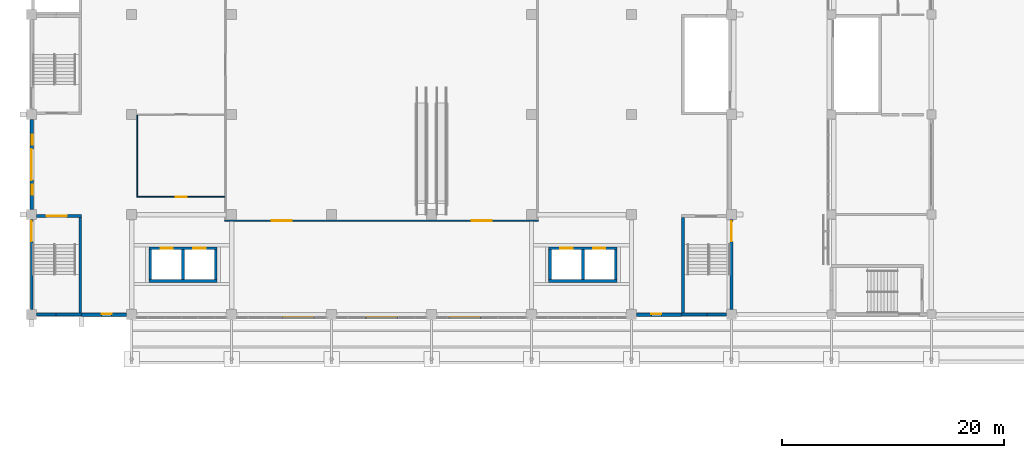
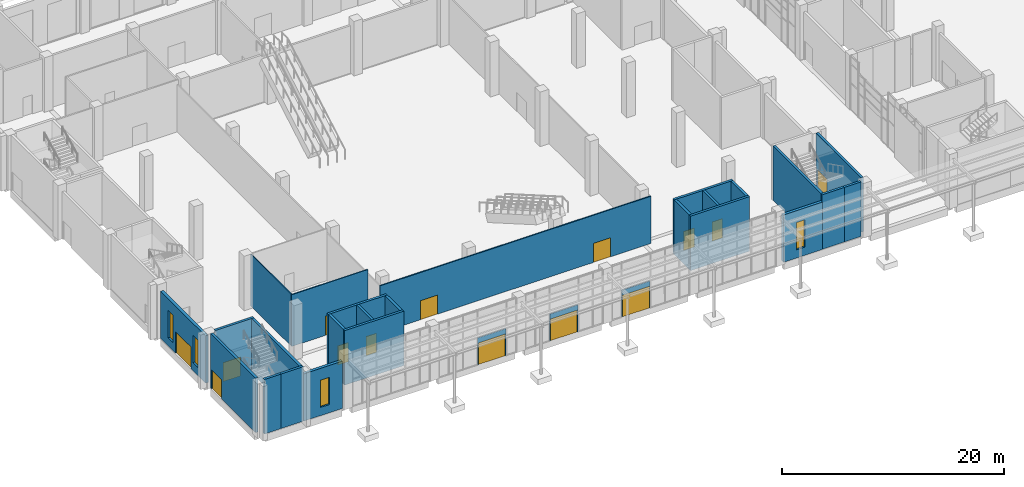
# One storey, part 50 of 86: 28 walls, 14 doors, 4 windows, 18 openings.
"""IFC4 building model written with IfcOpenShell, lengths in metres."""

from ifc_helpers import new_model, si_unit, direction, frame, frame_2d, origin, place, context, subcontext, project, spatial, rectangle, extrude, material, layer, layer_set, type_object, element, fill, save


model = new_model("IFC4")

# Units and contexts
model_context = context("Model", 3, precision=1e-05, world=origin(), true_north=direction((0.0, 1.0)))
body_context = subcontext(model_context, "Body", "Model", "MODEL_VIEW")
ifc_project = project(units=[si_unit("LENGTHUNIT", "METRE"), si_unit("AREAUNIT", "SQUARE_METRE"), si_unit("VOLUMEUNIT", "CUBIC_METRE"), si_unit("PLANEANGLEUNIT", "RADIAN"), si_unit("MASSUNIT", "GRAM", prefix="KILO")], contexts=[model_context])

# Site, building, storey
site_placement = place(None, origin())
site = spatial("IfcSite", under=ifc_project, at=site_placement, CompositionType="ELEMENT")
building_placement = place(site_placement, origin())
building = spatial("IfcBuilding", under=site, at=building_placement, Name="Guidao Yard Department Store", CompositionType="ELEMENT")
storey_placement = place(building_placement, origin())
storey = spatial("IfcBuildingStorey", under=building, at=storey_placement, Name="L00", CompositionType="ELEMENT", Elevation=0.0)

# Wall, openings, doors
ifc_material_1 = material(Name="Fire-rated glazing in Steel Q235 frame", Category="steel")
ifc_layer_1 = layer(ifc_material_1, 0.1201171875)
ifc_layer_set_1 = layer_set([ifc_layer_1], Name="Fire-Glazed Screen P5 120 mm EI 60")
wall_type_1 = type_object("IfcWallType", Name="Fire-Glazed Screen P5 120 mm EI 60", PredefinedType="PARTITIONING", material=ifc_layer_set_1)
wall_1_placement = place(storey_placement, frame((17.389892578125, 53.449951171875, 0.0), z_axis=(0.0, 0.0, 1.0), x_axis=(1.0, 0.0, 0.0)))
wall_1 = element("IfcWall", 1, at=wall_1_placement, inside=storey, type_object=wall_type_1, Name="Wall W-HL00-001", PredefinedType="PARTITIONING", context=body_context, shape_type="SweptSolid", body=[
    extrude(rectangle(XDim=28.22021484375, YDim=0.1201171875, at=frame_2d((14.110107421875, 0.0))), origin(), (0.0, 0.0, 1.0), 5.199951171875),
])
opening_1_placement = place(wall_1_placement, frame((4.2099609375, 0.0, 0.0)))
opening_1 = element("IfcOpeningElement", 2, at=opening_1_placement, cuts=wall_1, Name="Opening HL00-001", PredefinedType="OPENING", context=body_context, shape_type="SweptSolid", body=[
    extrude(rectangle(XDim=1.800048828125, YDim=2.10009765625, at=frame_2d((0.89990234375, 1.050048828125))), frame((0.0, 0.070068359375, 0.0), z_axis=(0.0, -1.0, 0.0), x_axis=(1.0, 0.0, 0.0)), (0.0, 0.0, 1.0), 0.14013671875),
])
opening_2_placement = place(wall_1_placement, frame((22.2099609375, 0.0, 0.0)))
opening_2 = element("IfcOpeningElement", 3, at=opening_2_placement, cuts=wall_1, Name="Opening HL00-002", PredefinedType="OPENING", context=body_context, shape_type="SweptSolid", body=[
    extrude(rectangle(XDim=1.800048828125, YDim=2.10009765625, at=frame_2d((0.89990234375, 1.050048828125))), frame((0.0, 0.070068359375, 0.0), z_axis=(0.0, -1.0, 0.0), x_axis=(1.0, 0.0, 0.0)), (0.0, 0.0, 1.0), 0.14013671875),
])
ifc_material_2 = material(Name="Steel Q235", Category="steel")
door_type_1 = type_object("IfcDoorType", Name="Door FD6 double 1800 x 2100 FD90 self-closing", OperationType="DOUBLE_DOOR_SINGLE_SWING", PredefinedType="DOOR", material=ifc_material_2)
door_1_placement = place(opening_1_placement, origin())
door_1 = element("IfcDoor", 4, at=door_1_placement, inside=storey, type_object=door_type_1, Name="Door HL00-001", OperationType="DOUBLE_DOOR_SINGLE_SWING", OverallHeight=2.10009765625, OverallWidth=1.800048828125, PredefinedType="DOOR", context=body_context, shape_type="SweptSolid", body=[
    extrude(rectangle(XDim=1.800048828125, YDim=2.10009765625, at=frame_2d((0.89990234375, 1.050048828125))), frame((0.0, 0.02490234375, 0.0), z_axis=(0.0, -1.0, 0.0), x_axis=(1.0, 0.0, 0.0)), (0.0, 0.0, 1.0), 0.050048828125),
])
fill(opening_1, door_1)
door_2_placement = place(opening_2_placement, origin())
door_2 = element("IfcDoor", 5, at=door_2_placement, inside=storey, type_object=door_type_1, Name="Door HL00-002", OperationType="DOUBLE_DOOR_SINGLE_SWING", OverallHeight=2.10009765625, OverallWidth=1.800048828125, PredefinedType="DOOR", context=body_context, shape_type="SweptSolid", body=[
    extrude(rectangle(XDim=1.800048828125, YDim=2.10009765625, at=frame_2d((0.89990234375, 1.050048828125))), frame((0.0, 0.02490234375, 0.0), z_axis=(0.0, -1.0, 0.0), x_axis=(1.0, 0.0, 0.0)), (0.0, 0.0, 1.0), 0.050048828125),
])
fill(opening_2, door_2)

# Wall, opening, door
ifc_material_3 = material(Name="Aluminium 6063-T5", Category="aluminium")
ifc_layer_2 = layer(ifc_material_3, 0.1201171875)
ifc_layer_set_2 = layer_set([ifc_layer_2], Name="Glazing frame wall 120")
wall_type_2 = type_object("IfcWallType", Name="Glazing frame wall 120", PredefinedType="STANDARD", material=ifc_layer_set_2)
wall_2_placement = place(storey_placement, frame((25.469970703125, 44.719970703125, 0.0), z_axis=(0.0, 0.0, 1.0), x_axis=(-1.0, 0.0, 0.0)))
wall_2 = element("IfcWall", 6, at=wall_2_placement, inside=storey, type_object=wall_type_2, Name="Frame wall for door", PredefinedType="STANDARD", context=body_context, shape_type="SweptSolid", body=[
    extrude(rectangle(XDim=2.93994140625, YDim=0.1201171875, at=frame_2d((1.469970703125, 0.0))), origin(), (0.0, 0.0, 1.0), 2.969970703125),
])
opening_3_placement = place(wall_2_placement, frame((0.070068359375, 0.0, 0.0)))
opening_3 = element("IfcOpeningElement", 7, at=opening_3_placement, cuts=wall_2, Name="Opening L00-850", PredefinedType="OPENING", context=body_context, shape_type="SweptSolid", body=[
    extrude(rectangle(XDim=2.800048828125, YDim=2.39990234375, at=frame_2d((1.39990234375, 1.199951171875))), frame((0.0, 0.070068359375, 0.0), z_axis=(0.0, -1.0, 0.0), x_axis=(1.0, 0.0, 0.0)), (0.0, 0.0, 1.0), 0.14013671875),
])
ifc_material_4 = material(Name="Toughened glass in Aluminium 6063-T5 frame", Category="aluminium")
door_type_2 = type_object("IfcDoorType", Name="Entrance door ED1 2800 x 2400 glazed double leaf", OperationType="DOUBLE_DOOR_SINGLE_SWING", PredefinedType="DOOR", material=ifc_material_4)
door_3_placement = place(opening_3_placement, origin())
door_3 = element("IfcDoor", 8, at=door_3_placement, inside=storey, type_object=door_type_2, Name="Main entrance E1", OperationType="DOUBLE_DOOR_SINGLE_SWING", OverallHeight=2.39990234375, OverallWidth=2.800048828125, PredefinedType="DOOR", context=body_context, shape_type="SweptSolid", body=[
    extrude(rectangle(XDim=2.800048828125, YDim=2.39990234375, at=frame_2d((1.39990234375, 1.199951171875))), frame((0.0, 0.02490234375, 0.0), z_axis=(0.0, -1.0, 0.0), x_axis=(1.0, 0.0, 0.0)), (0.0, 0.0, 1.0), 0.050048828125),
])
fill(opening_3, door_3)

wall_3_placement = place(storey_placement, frame((32.969970703125, 44.719970703125, 0.0), z_axis=(0.0, 0.0, 1.0), x_axis=(-1.0, 0.0, 0.0)))
wall_3 = element("IfcWall", 9, at=wall_3_placement, inside=storey, type_object=wall_type_2, Name="Frame wall for door", PredefinedType="STANDARD", context=body_context, shape_type="SweptSolid", body=[
    extrude(rectangle(XDim=2.93994140625, YDim=0.1201171875, at=frame_2d((1.469970703125, 0.0))), origin(), (0.0, 0.0, 1.0), 2.969970703125),
])
opening_4_placement = place(wall_3_placement, frame((0.070068359375, 0.0, 0.0)))
opening_4 = element("IfcOpeningElement", 10, at=opening_4_placement, cuts=wall_3, Name="Opening L00-851", PredefinedType="OPENING", context=body_context, shape_type="SweptSolid", body=[
    extrude(rectangle(XDim=2.800048828125, YDim=2.39990234375, at=frame_2d((1.39990234375, 1.199951171875))), frame((0.0, 0.070068359375, 0.0), z_axis=(0.0, -1.0, 0.0), x_axis=(1.0, 0.0, 0.0)), (0.0, 0.0, 1.0), 0.14013671875),
])
door_4_placement = place(opening_4_placement, origin())
door_4 = element("IfcDoor", 11, at=door_4_placement, inside=storey, type_object=door_type_2, Name="Main entrance E1", OperationType="DOUBLE_DOOR_SINGLE_SWING", OverallHeight=2.39990234375, OverallWidth=2.800048828125, PredefinedType="DOOR", context=body_context, shape_type="SweptSolid", body=[
    extrude(rectangle(XDim=2.800048828125, YDim=2.39990234375, at=frame_2d((1.39990234375, 1.199951171875))), frame((0.0, 0.02490234375, 0.0), z_axis=(0.0, -1.0, 0.0), x_axis=(1.0, 0.0, 0.0)), (0.0, 0.0, 1.0), 0.050048828125),
])
fill(opening_4, door_4)

wall_4_placement = place(storey_placement, frame((40.469970703125, 44.719970703125, 0.0), z_axis=(0.0, 0.0, 1.0), x_axis=(-1.0, 0.0, 0.0)))
wall_4 = element("IfcWall", 12, at=wall_4_placement, inside=storey, type_object=wall_type_2, Name="Frame wall for door", PredefinedType="STANDARD", context=body_context, shape_type="SweptSolid", body=[
    extrude(rectangle(XDim=2.93994140625, YDim=0.1201171875, at=frame_2d((1.469970703125, 0.0))), origin(), (0.0, 0.0, 1.0), 2.969970703125),
])
opening_5_placement = place(wall_4_placement, frame((0.070068359375, 0.0, 0.0)))
opening_5 = element("IfcOpeningElement", 13, at=opening_5_placement, cuts=wall_4, Name="Opening L00-852", PredefinedType="OPENING", context=body_context, shape_type="SweptSolid", body=[
    extrude(rectangle(XDim=2.800048828125, YDim=2.39990234375, at=frame_2d((1.39990234375, 1.199951171875))), frame((0.0, 0.070068359375, 0.0), z_axis=(0.0, -1.0, 0.0), x_axis=(1.0, 0.0, 0.0)), (0.0, 0.0, 1.0), 0.14013671875),
])
door_5_placement = place(opening_5_placement, origin())
door_5 = element("IfcDoor", 14, at=door_5_placement, inside=storey, type_object=door_type_2, Name="Main entrance E1", OperationType="DOUBLE_DOOR_SINGLE_SWING", OverallHeight=2.39990234375, OverallWidth=2.800048828125, PredefinedType="DOOR", context=body_context, shape_type="SweptSolid", body=[
    extrude(rectangle(XDim=2.800048828125, YDim=2.39990234375, at=frame_2d((1.39990234375, 1.199951171875))), frame((0.0, 0.02490234375, 0.0), z_axis=(0.0, -1.0, 0.0), x_axis=(1.0, 0.0, 0.0)), (0.0, 0.0, 1.0), 0.050048828125),
])
fill(opening_5, door_5)

# Wall, opening, window
ifc_material_5 = material(Name="Concrete C35", Category="concrete")
ifc_layer_3 = layer(ifc_material_5, 0.300048828125)
ifc_layer_set_3 = layer_set([ifc_layer_3], Name="Hall facade wall 300 C35")
wall_type_3 = type_object("IfcWallType", Name="Hall facade wall 300 C35", PredefinedType="SOLIDWALL", material=ifc_layer_set_3)
wall_5_placement = place(storey_placement, frame((8.550048828125, 45.0, 0.0), z_axis=(0.0, 0.0, 1.0), x_axis=(-1.0, 0.0, 0.0)))
wall_5 = element("IfcWall", 15, at=wall_5_placement, inside=storey, type_object=wall_type_3, Name="Hall facade wall", PredefinedType="SOLIDWALL", context=body_context, shape_type="SweptSolid", body=[
    extrude(rectangle(XDim=4.050048828125, YDim=0.300048828125, at=frame_2d((2.02490234375, 0.0))), origin(), (0.0, 0.0, 1.0), 5.199951171875),
])
opening_6_placement = place(wall_5_placement, frame((1.35009765625, 0.0, 0.89990234375)))
opening_6 = element("IfcOpeningElement", 16, at=opening_6_placement, cuts=wall_5, Name="Opening WN-L00-E01", PredefinedType="OPENING", context=body_context, shape_type="SweptSolid", body=[
    extrude(rectangle(XDim=0.89990234375, YDim=3.0, at=frame_2d((0.449951171875, 1.5))), frame((0.0, 0.159912109375, 0.0), z_axis=(0.0, -1.0, 0.0), x_axis=(1.0, 0.0, 0.0)), (0.0, 0.0, 1.0), 0.320068359375),
])
ifc_material_6 = material(Name="Laminated glass in aluminium frame", Category="aluminium")
window_type = type_object("IfcWindowType", Name="Slot window SL1 900 x 3000 fixed", PartitioningType="SINGLE_PANEL", PredefinedType="WINDOW", material=ifc_material_6)
window_1_placement = place(opening_6_placement, origin())
window_1 = element("IfcWindow", 17, at=window_1_placement, inside=storey, type_object=window_type, Name="Slot window", OverallHeight=3.0, OverallWidth=0.89990234375, PartitioningType="SINGLE_PANEL", PredefinedType="WINDOW", context=body_context, shape_type="SweptSolid", body=[
    extrude(rectangle(XDim=0.89990234375, YDim=3.0, at=frame_2d((0.449951171875, 1.5))), frame((0.0, -0.030029296875, 0.0), z_axis=(0.0, -1.0, 0.0), x_axis=(1.0, 0.0, 0.0)), (0.0, 0.0, 1.0), 0.06005859375),
])
fill(opening_6, window_1)

wall_6_placement = place(storey_placement, frame((58.5, 45.0, 0.0), z_axis=(0.0, 0.0, 1.0), x_axis=(-1.0, 0.0, 0.0)))
wall_6 = element("IfcWall", 18, at=wall_6_placement, inside=storey, type_object=wall_type_3, Name="Hall facade wall", PredefinedType="SOLIDWALL", context=body_context, shape_type="SweptSolid", body=[
    extrude(rectangle(XDim=4.050048828125, YDim=0.300048828125, at=frame_2d((2.02490234375, 0.0))), origin(), (0.0, 0.0, 1.0), 5.199951171875),
])
opening_7_placement = place(wall_6_placement, frame((1.800048828125, 0.0, 0.89990234375)))
opening_7 = element("IfcOpeningElement", 19, at=opening_7_placement, cuts=wall_6, Name="Opening WN-L00-E02", PredefinedType="OPENING", context=body_context, shape_type="SweptSolid", body=[
    extrude(rectangle(XDim=0.89990234375, YDim=3.0, at=frame_2d((0.449951171875, 1.5))), frame((0.0, 0.159912109375, 0.0), z_axis=(0.0, -1.0, 0.0), x_axis=(1.0, 0.0, 0.0)), (0.0, 0.0, 1.0), 0.320068359375),
])
window_2_placement = place(opening_7_placement, origin())
window_2 = element("IfcWindow", 20, at=window_2_placement, inside=storey, type_object=window_type, Name="Slot window", OverallHeight=3.0, OverallWidth=0.89990234375, PartitioningType="SINGLE_PANEL", PredefinedType="WINDOW", context=body_context, shape_type="SweptSolid", body=[
    extrude(rectangle(XDim=0.89990234375, YDim=3.0, at=frame_2d((0.449951171875, 1.5))), frame((0.0, -0.030029296875, 0.0), z_axis=(0.0, -1.0, 0.0), x_axis=(1.0, 0.0, 0.0)), (0.0, 0.0, 1.0), 0.06005859375),
])
fill(opening_7, window_2)

# Wall, openings, door, windows
wall_7_placement = place(storey_placement, frame((0.0, 54.449951171875, 0.0), z_axis=(0.0, 0.0, 1.0), x_axis=(0.0, 1.0, 0.0)))
wall_7 = element("IfcWall", 21, at=wall_7_placement, inside=storey, type_object=wall_type_3, Name="Hall facade wall", PredefinedType="SOLIDWALL", context=body_context, shape_type="SweptSolid", body=[
    extrude(rectangle(XDim=8.10009765625, YDim=0.300048828125, at=frame_2d((4.050048828125, 0.0))), origin(), (0.0, 0.0, 1.0), 5.199951171875),
])
opening_8_placement = place(wall_7_placement, frame((2.64990234375, 0.0, 0.0)))
opening_8 = element("IfcOpeningElement", 22, at=opening_8_placement, cuts=wall_7, Name="Opening L00-853", PredefinedType="OPENING", context=body_context, shape_type="SweptSolid", body=[
    extrude(rectangle(XDim=2.800048828125, YDim=2.39990234375, at=frame_2d((1.39990234375, 1.199951171875))), frame((0.0, 0.159912109375, 0.0), z_axis=(0.0, -1.0, 0.0), x_axis=(1.0, 0.0, 0.0)), (0.0, 0.0, 1.0), 0.320068359375),
])
opening_9_placement = place(wall_7_placement, frame((1.35009765625, 0.0, 0.89990234375)))
opening_9 = element("IfcOpeningElement", 23, at=opening_9_placement, cuts=wall_7, Name="Opening WN-L00-E03", PredefinedType="OPENING", context=body_context, shape_type="SweptSolid", body=[
    extrude(rectangle(XDim=0.89990234375, YDim=3.0, at=frame_2d((0.449951171875, 1.5))), frame((0.0, 0.159912109375, 0.0), z_axis=(0.0, -1.0, 0.0), x_axis=(1.0, 0.0, 0.0)), (0.0, 0.0, 1.0), 0.320068359375),
])
opening_10_placement = place(wall_7_placement, frame((5.85009765625, 0.0, 0.89990234375)))
opening_10 = element("IfcOpeningElement", 24, at=opening_10_placement, cuts=wall_7, Name="Opening WN-L00-E04", PredefinedType="OPENING", context=body_context, shape_type="SweptSolid", body=[
    extrude(rectangle(XDim=0.89990234375, YDim=3.0, at=frame_2d((0.449951171875, 1.5))), frame((0.0, 0.159912109375, 0.0), z_axis=(0.0, -1.0, 0.0), x_axis=(1.0, 0.0, 0.0)), (0.0, 0.0, 1.0), 0.320068359375),
])
door_6_placement = place(opening_8_placement, origin())
door_6 = element("IfcDoor", 25, at=door_6_placement, inside=storey, type_object=door_type_2, Name="Main entrance E2", OperationType="DOUBLE_DOOR_SINGLE_SWING", OverallHeight=2.39990234375, OverallWidth=2.800048828125, PredefinedType="DOOR", context=body_context, shape_type="SweptSolid", body=[
    extrude(rectangle(XDim=2.800048828125, YDim=2.39990234375, at=frame_2d((1.39990234375, 1.199951171875))), frame((0.0, 0.02490234375, 0.0), z_axis=(0.0, -1.0, 0.0), x_axis=(1.0, 0.0, 0.0)), (0.0, 0.0, 1.0), 0.050048828125),
])
fill(opening_8, door_6)
window_3_placement = place(opening_9_placement, origin())
window_3 = element("IfcWindow", 26, at=window_3_placement, inside=storey, type_object=window_type, Name="Slot window", OverallHeight=3.0, OverallWidth=0.89990234375, PartitioningType="SINGLE_PANEL", PredefinedType="WINDOW", context=body_context, shape_type="SweptSolid", body=[
    extrude(rectangle(XDim=0.89990234375, YDim=3.0, at=frame_2d((0.449951171875, 1.5))), frame((0.0, -0.030029296875, 0.0), z_axis=(0.0, -1.0, 0.0), x_axis=(1.0, 0.0, 0.0)), (0.0, 0.0, 1.0), 0.06005859375),
])
fill(opening_9, window_3)
window_4_placement = place(opening_10_placement, origin())
window_4 = element("IfcWindow", 27, at=window_4_placement, inside=storey, type_object=window_type, Name="Slot window", OverallHeight=3.0, OverallWidth=0.89990234375, PartitioningType="SINGLE_PANEL", PredefinedType="WINDOW", context=body_context, shape_type="SweptSolid", body=[
    extrude(rectangle(XDim=0.89990234375, YDim=3.0, at=frame_2d((0.449951171875, 1.5))), frame((0.0, -0.030029296875, 0.0), z_axis=(0.0, -1.0, 0.0), x_axis=(1.0, 0.0, 0.0)), (0.0, 0.0, 1.0), 0.06005859375),
])
fill(opening_10, window_4)

# Wall, opening, door
ifc_material_7 = material(Name="Gypsum board on Steel Q235 studs", Category="steel")
ifc_layer_4 = layer(ifc_material_7, 0.10009765625)
ifc_layer_set_4 = layer_set([ifc_layer_4], Name="Partition P1 100 mm gypsum board EI 30")
wall_type_4 = type_object("IfcWallType", Name="Partition P1 100 mm gypsum board EI 30", PredefinedType="PARTITIONING", material=ifc_layer_set_4)
wall_8_placement = place(storey_placement, frame((9.449951171875, 55.60009765625, 0.0), z_axis=(0.0, 0.0, 1.0), x_axis=(1.0, 0.0, 0.0)))
wall_8 = element("IfcWall", 28, at=wall_8_placement, inside=storey, type_object=wall_type_4, Name="Wall W-HL00-004", PredefinedType="PARTITIONING", context=body_context, shape_type="SweptSolid", body=[
    extrude(rectangle(XDim=7.93994140625, YDim=0.10009765625, at=frame_2d((3.969970703125, 0.0))), origin(), (0.0, 0.0, 1.0), 5.699951171875),
])
opening_11_placement = place(wall_8_placement, frame((3.52490234375, 0.0, 0.0)))
opening_11 = element("IfcOpeningElement", 29, at=opening_11_placement, cuts=wall_8, Name="Opening HL00-003", PredefinedType="OPENING", context=body_context, shape_type="SweptSolid", body=[
    extrude(rectangle(XDim=1.0, YDim=2.10009765625, at=frame_2d((0.5, 1.050048828125))), frame((0.0, 0.06005859375, 0.0), z_axis=(0.0, -1.0, 0.0), x_axis=(1.0, 0.0, 0.0)), (0.0, 0.0, 1.0), 0.1201171875),
])
ifc_material_8 = material(Name="Timber door leaf", Category="wood")
door_type_3 = type_object("IfcDoorType", Name="Door D2 1000 x 2100", OperationType="SINGLE_SWING_LEFT", PredefinedType="DOOR", material=ifc_material_8)
door_7_placement = place(opening_11_placement, origin())
door_7 = element("IfcDoor", 30, at=door_7_placement, inside=storey, type_object=door_type_3, Name="Door HL00-003", OperationType="SINGLE_SWING_RIGHT", OverallHeight=2.10009765625, OverallWidth=1.0, PredefinedType="DOOR", context=body_context, shape_type="SweptSolid", body=[
    extrude(rectangle(XDim=1.0, YDim=2.10009765625, at=frame_2d((0.5, 1.050048828125))), frame((0.0, 0.02490234375, 0.0), z_axis=(0.0, -1.0, 0.0), x_axis=(1.0, 0.0, 0.0)), (0.0, 0.0, 1.0), 0.050048828125),
])
fill(opening_11, door_7)

# Walls
wall_9_placement = place(storey_placement, frame((9.5, 55.64990234375, 0.0), z_axis=(0.0, 0.0, 1.0), x_axis=(0.0, 1.0, 0.0)))
element("IfcWall", 31, at=wall_9_placement, inside=storey, type_object=wall_type_4, Name="Wall W-HL00-005", PredefinedType="PARTITIONING", context=body_context, shape_type="SweptSolid", body=[
    extrude(rectangle(XDim=7.300048828125, YDim=0.10009765625, at=frame_2d((3.64990234375, 0.0))), origin(), (0.0, 0.0, 1.0), 5.699951171875),
])
ifc_material_9 = material(Name="Concrete C40", Category="concrete")
ifc_layer_5 = layer(ifc_material_9, 0.25)
ifc_layer_set_5 = layer_set([ifc_layer_5], Name="Wall RC 250 C40 stair and shaft")
wall_type_5 = type_object("IfcWallType", Name="Wall RC 250 C40 stair and shaft", PredefinedType="SHEAR", material=ifc_layer_set_5)
wall_10_placement = place(storey_placement, frame((58.5, 45.0, 0.0), z_axis=(0.0, 0.0, 1.0), x_axis=(1.0, 0.0, 0.0)))
element("IfcWall", 32, at=wall_10_placement, inside=storey, type_object=wall_type_5, Name="Stair wall SA2", PredefinedType="SHEAR", context=body_context, shape_type="SweptSolid", body=[
    extrude(rectangle(XDim=2.31201171875, YDim=0.25, at=frame_2d((1.156005859375, 0.0))), origin(), (0.0, 0.0, 1.0), 6.0),
])
wall_11_placement = place(storey_placement, frame((60.81201171875, 45.0, 0.0), z_axis=(0.0, 0.0, 1.0), x_axis=(1.0, 0.0, 0.0)))
element("IfcWall", 33, at=wall_11_placement, inside=storey, type_object=wall_type_5, Name="Stair wall SA2", PredefinedType="SHEAR", context=body_context, shape_type="SweptSolid", body=[
    extrude(rectangle(XDim=1.738037109375, YDim=0.25, at=frame_2d((0.869140625, 0.0))), origin(), (0.0, 0.0, 1.0), 6.0),
])
wall_12_placement = place(storey_placement, frame((58.625, 45.125, 0.0), z_axis=(0.0, 0.0, 1.0), x_axis=(0.0, 1.0, 0.0)))
element("IfcWall", 34, at=wall_12_placement, inside=storey, type_object=wall_type_5, Name="Stair wall SA2", PredefinedType="SHEAR", context=body_context, shape_type="SweptSolid", body=[
    extrude(rectangle(XDim=8.625, YDim=0.25, at=frame_2d((4.3125, 0.0))), origin(), (0.0, 0.0, 1.0), 6.0),
])

# Wall, opening, door
wall_13_placement = place(storey_placement, frame((63.0, 45.449951171875, 0.0), z_axis=(0.0, 0.0, 1.0), x_axis=(0.0, 1.0, 0.0)))
wall_13 = element("IfcWall", 35, at=wall_13_placement, inside=storey, type_object=wall_type_5, Name="Stair wall SA2", PredefinedType="SHEAR", context=body_context, shape_type="SweptSolid", body=[
    extrude(rectangle(XDim=8.10009765625, YDim=0.25, at=frame_2d((4.050048828125, 0.0))), origin(), (0.0, 0.0, 1.0), 6.0),
])
opening_12_placement = place(wall_13_placement, frame((7.949951171875, 0.0, 0.0), z_axis=(0.0, 0.0, 1.0), x_axis=(-1.0, 0.0, 0.0)))
opening_12 = element("IfcOpeningElement", 36, at=opening_12_placement, cuts=wall_13, Name="Opening L00-811", PredefinedType="OPENING", context=body_context, shape_type="SweptSolid", body=[
    extrude(rectangle(XDim=1.800048828125, YDim=2.10009765625, at=frame_2d((0.89990234375, 1.050048828125))), frame((0.0, 0.135009765625, 0.0), z_axis=(0.0, -1.0, 0.0), x_axis=(1.0, 0.0, 0.0)), (0.0, 0.0, 1.0), 0.27001953125),
])
ifc_material_10 = material(Name="Steel Q235", Category="steel")
door_type_4 = type_object("IfcDoorType", Name="Door fire-resisting 1800 x 2100 FD60", OperationType="DOUBLE_DOOR_SINGLE_SWING", PredefinedType="DOOR", material=ifc_material_10)
door_8_placement = place(opening_12_placement, origin())
door_8 = element("IfcDoor", 37, at=door_8_placement, inside=storey, type_object=door_type_4, Name="Stair A2 door L00 discharge", OperationType="DOUBLE_DOOR_SINGLE_SWING", OverallHeight=2.10009765625, OverallWidth=1.800048828125, PredefinedType="DOOR", context=body_context, shape_type="SweptSolid", body=[
    extrude(rectangle(XDim=1.800048828125, YDim=2.10009765625, at=frame_2d((0.89990234375, 1.050048828125))), frame((0.0, 0.02490234375, 0.0), z_axis=(0.0, -1.0, 0.0), x_axis=(1.0, 0.0, 0.0)), (0.0, 0.0, 1.0), 0.050048828125),
])
fill(opening_12, door_8)

# Walls
wall_14_placement = place(storey_placement, frame((0.449951171875, 45.0, 0.0), z_axis=(0.0, 0.0, 1.0), x_axis=(1.0, 0.0, 0.0)))
element("IfcWall", 38, at=wall_14_placement, inside=storey, type_object=wall_type_5, Name="Stair wall SA8", PredefinedType="SHEAR", context=body_context, shape_type="SweptSolid", body=[
    extrude(rectangle(XDim=1.738037109375, YDim=0.25, at=frame_2d((0.869140625, 0.0))), origin(), (0.0, 0.0, 1.0), 6.0),
])
wall_15_placement = place(storey_placement, frame((2.18798828125, 45.0, 0.0), z_axis=(0.0, 0.0, 1.0), x_axis=(1.0, 0.0, 0.0)))
element("IfcWall", 39, at=wall_15_placement, inside=storey, type_object=wall_type_5, Name="Stair wall SA8", PredefinedType="SHEAR", context=body_context, shape_type="SweptSolid", body=[
    extrude(rectangle(XDim=2.31201171875, YDim=0.25, at=frame_2d((1.156005859375, 0.0))), origin(), (0.0, 0.0, 1.0), 6.0),
])

# Wall, opening, door
wall_16_placement = place(storey_placement, frame((0.449951171875, 53.875, 0.0), z_axis=(0.0, 0.0, 1.0), x_axis=(1.0, 0.0, 0.0)))
wall_16 = element("IfcWall", 40, at=wall_16_placement, inside=storey, type_object=wall_type_5, Name="Stair wall SA8", PredefinedType="SHEAR", context=body_context, shape_type="SweptSolid", body=[
    extrude(rectangle(XDim=4.050048828125, YDim=0.25, at=frame_2d((2.02490234375, 0.0))), origin(), (0.0, 0.0, 1.0), 6.0),
])
opening_13_placement = place(wall_16_placement, frame((2.699951171875, 0.0, 0.0), z_axis=(0.0, 0.0, 1.0), x_axis=(-1.0, 0.0, 0.0)))
opening_13 = element("IfcOpeningElement", 41, at=opening_13_placement, cuts=wall_16, Name="Opening L00-822", PredefinedType="OPENING", context=body_context, shape_type="SweptSolid", body=[
    extrude(rectangle(XDim=1.800048828125, YDim=2.10009765625, at=frame_2d((0.89990234375, 1.050048828125))), frame((0.0, 0.135009765625, 0.0), z_axis=(0.0, -1.0, 0.0), x_axis=(1.0, 0.0, 0.0)), (0.0, 0.0, 1.0), 0.27001953125),
])
door_9_placement = place(opening_13_placement, origin())
door_9 = element("IfcDoor", 42, at=door_9_placement, inside=storey, type_object=door_type_4, Name="Stair A8 door L00", OperationType="DOUBLE_DOOR_SINGLE_SWING", OverallHeight=2.10009765625, OverallWidth=1.800048828125, PredefinedType="DOOR", context=body_context, shape_type="SweptSolid", body=[
    extrude(rectangle(XDim=1.800048828125, YDim=2.10009765625, at=frame_2d((0.89990234375, 1.050048828125))), frame((0.0, 0.02490234375, 0.0), z_axis=(0.0, -1.0, 0.0), x_axis=(1.0, 0.0, 0.0)), (0.0, 0.0, 1.0), 0.050048828125),
])
fill(opening_13, door_9)

wall_17_placement = place(storey_placement, frame((0.0, 45.449951171875, 0.0), z_axis=(0.0, 0.0, 1.0), x_axis=(0.0, 1.0, 0.0)))
wall_17 = element("IfcWall", 43, at=wall_17_placement, inside=storey, type_object=wall_type_5, Name="Stair wall SA8", PredefinedType="SHEAR", context=body_context, shape_type="SweptSolid", body=[
    extrude(rectangle(XDim=8.10009765625, YDim=0.25, at=frame_2d((4.050048828125, 0.0))), origin(), (0.0, 0.0, 1.0), 6.0),
])
opening_14_placement = place(wall_17_placement, frame((6.14990234375, 0.0, 0.0)))
opening_14 = element("IfcOpeningElement", 44, at=opening_14_placement, cuts=wall_17, Name="Opening L00-823", PredefinedType="OPENING", context=body_context, shape_type="SweptSolid", body=[
    extrude(rectangle(XDim=1.800048828125, YDim=2.10009765625, at=frame_2d((0.89990234375, 1.050048828125))), frame((0.0, 0.135009765625, 0.0), z_axis=(0.0, -1.0, 0.0), x_axis=(1.0, 0.0, 0.0)), (0.0, 0.0, 1.0), 0.27001953125),
])
door_10_placement = place(opening_14_placement, origin())
door_10 = element("IfcDoor", 45, at=door_10_placement, inside=storey, type_object=door_type_4, Name="Stair A8 door L00 discharge", OperationType="DOUBLE_DOOR_SINGLE_SWING", OverallHeight=2.10009765625, OverallWidth=1.800048828125, PredefinedType="DOOR", context=body_context, shape_type="SweptSolid", body=[
    extrude(rectangle(XDim=1.800048828125, YDim=2.10009765625, at=frame_2d((0.89990234375, 1.050048828125))), frame((0.0, 0.02490234375, 0.0), z_axis=(0.0, -1.0, 0.0), x_axis=(1.0, 0.0, 0.0)), (0.0, 0.0, 1.0), 0.050048828125),
])
fill(opening_14, door_10)

# Wall
wall_18_placement = place(storey_placement, frame((4.375, 45.125, 0.0), z_axis=(0.0, 0.0, 1.0), x_axis=(0.0, 1.0, 0.0)))
element("IfcWall", 46, at=wall_18_placement, inside=storey, type_object=wall_type_5, Name="Stair wall SA8", PredefinedType="SHEAR", context=body_context, shape_type="SweptSolid", body=[
    extrude(rectangle(XDim=8.625, YDim=0.25, at=frame_2d((4.3125, 0.0))), origin(), (0.0, 0.0, 1.0), 6.0),
])

# Wall, openings, doors
wall_19_placement = place(storey_placement, frame((10.550048828125, 50.97509765625, 0.0), z_axis=(0.0, 0.0, 1.0), x_axis=(1.0, 0.0, 0.0)))
wall_19 = element("IfcWall", 47, at=wall_19_placement, inside=storey, type_object=wall_type_5, Name="Lift shaft wall HL1 to HL2", PredefinedType="SHEAR", context=body_context, shape_type="SweptSolid", body=[
    extrude(rectangle(XDim=6.14990234375, YDim=0.25, at=frame_2d((3.074951171875, 0.0))), origin(), (0.0, 0.0, 1.0), 6.0),
])
opening_15_placement = place(wall_19_placement, frame((1.050048828125, 0.0, 0.0)))
opening_15 = element("IfcOpeningElement", 48, at=opening_15_placement, cuts=wall_19, Name="Opening LD-HL1-L00", PredefinedType="OPENING", context=body_context, shape_type="SweptSolid", body=[
    extrude(rectangle(XDim=1.10009765625, YDim=2.10009765625, at=frame_2d((0.550048828125, 1.050048828125))), frame((0.0, 0.135009765625, 0.0), z_axis=(0.0, -1.0, 0.0), x_axis=(1.0, 0.0, 0.0)), (0.0, 0.0, 1.0), 0.27001953125),
])
opening_16_placement = place(wall_19_placement, frame((4.0, 0.0, 0.0)))
opening_16 = element("IfcOpeningElement", 49, at=opening_16_placement, cuts=wall_19, Name="Opening LD-HL2-L00", PredefinedType="OPENING", context=body_context, shape_type="SweptSolid", body=[
    extrude(rectangle(XDim=1.10009765625, YDim=2.10009765625, at=frame_2d((0.550048828125, 1.050048828125))), frame((0.0, 0.135009765625, 0.0), z_axis=(0.0, -1.0, 0.0), x_axis=(1.0, 0.0, 0.0)), (0.0, 0.0, 1.0), 0.27001953125),
])
ifc_material_11 = material(Name="Stainless steel 06Cr19Ni10", Category="steel")
door_type_5 = type_object("IfcDoorType", Name="Lift landing door fire-resisting sliding 1100 x 2100", OperationType="DOUBLE_DOOR_SLIDING", PredefinedType="DOOR", material=ifc_material_11)
door_11_placement = place(opening_15_placement, origin())
door_11 = element("IfcDoor", 50, at=door_11_placement, inside=storey, type_object=door_type_5, Name="Lift landing door HL1 L00", OperationType="DOUBLE_DOOR_SLIDING", OverallHeight=2.10009765625, OverallWidth=1.10009765625, PredefinedType="DOOR", context=body_context, shape_type="SweptSolid", body=[
    extrude(rectangle(XDim=1.10009765625, YDim=2.10009765625, at=frame_2d((0.550048828125, 1.050048828125))), frame((0.0, 0.02490234375, 0.0), z_axis=(0.0, -1.0, 0.0), x_axis=(1.0, 0.0, 0.0)), (0.0, 0.0, 1.0), 0.050048828125),
])
fill(opening_15, door_11)
door_12_placement = place(opening_16_placement, origin())
door_12 = element("IfcDoor", 51, at=door_12_placement, inside=storey, type_object=door_type_5, Name="Lift landing door HL2 L00", OperationType="DOUBLE_DOOR_SLIDING", OverallHeight=2.10009765625, OverallWidth=1.10009765625, PredefinedType="DOOR", context=body_context, shape_type="SweptSolid", body=[
    extrude(rectangle(XDim=1.10009765625, YDim=2.10009765625, at=frame_2d((0.550048828125, 1.050048828125))), frame((0.0, 0.02490234375, 0.0), z_axis=(0.0, -1.0, 0.0), x_axis=(1.0, 0.0, 0.0)), (0.0, 0.0, 1.0), 0.050048828125),
])
fill(opening_16, door_12)

# Walls
wall_20_placement = place(storey_placement, frame((10.550048828125, 48.02490234375, 0.0), z_axis=(0.0, 0.0, 1.0), x_axis=(1.0, 0.0, 0.0)))
element("IfcWall", 52, at=wall_20_placement, inside=storey, type_object=wall_type_5, Name="Lift shaft wall HL1 to HL2", PredefinedType="SHEAR", context=body_context, shape_type="SweptSolid", body=[
    extrude(rectangle(XDim=6.14990234375, YDim=0.25, at=frame_2d((3.074951171875, 0.0))), origin(), (0.0, 0.0, 1.0), 6.0),
])
for number, where, z_axis, x_axis, name in (
    (53, (10.675048828125, 48.14990234375, 0.0), (0.0, 0.0, 1.0), (0.0, 1.0, 0.0), "Lift shaft wall HL1 to HL2"),
    (54, (13.625, 48.14990234375, 0.0), (0.0, 0.0, 1.0), (0.0, 1.0, 0.0), "Lift shaft wall HL1 to HL2"),
    (55, (16.574951171875, 48.14990234375, 0.0), (0.0, 0.0, 1.0), (0.0, 1.0, 0.0), "Lift shaft wall HL1 to HL2"),
):
    element("IfcWall", number, at=place(storey_placement, frame(where, z_axis=z_axis, x_axis=x_axis)), inside=storey, type_object=wall_type_5, Name=name, PredefinedType="SHEAR", context=body_context, shape_type="SweptSolid", body=[
        extrude(rectangle(XDim=2.7001953125, YDim=0.25, at=frame_2d((1.35009765625, 0.0))), origin(), (0.0, 0.0, 1.0), 6.0),
    ])

# Wall, openings, doors
wall_21_placement = place(storey_placement, frame((46.550048828125, 50.97509765625, 0.0), z_axis=(0.0, 0.0, 1.0), x_axis=(1.0, 0.0, 0.0)))
wall_21 = element("IfcWall", 56, at=wall_21_placement, inside=storey, type_object=wall_type_5, Name="Lift shaft wall HL3 to HL4", PredefinedType="SHEAR", context=body_context, shape_type="SweptSolid", body=[
    extrude(rectangle(XDim=6.14990234375, YDim=0.25, at=frame_2d((3.074951171875, 0.0))), origin(), (0.0, 0.0, 1.0), 6.0),
])
opening_17_placement = place(wall_21_placement, frame((1.050048828125, 0.0, 0.0)))
opening_17 = element("IfcOpeningElement", 57, at=opening_17_placement, cuts=wall_21, Name="Opening LD-HL3-L00", PredefinedType="OPENING", context=body_context, shape_type="SweptSolid", body=[
    extrude(rectangle(XDim=1.10009765625, YDim=2.10009765625, at=frame_2d((0.550048828125, 1.050048828125))), frame((0.0, 0.135009765625, 0.0), z_axis=(0.0, -1.0, 0.0), x_axis=(1.0, 0.0, 0.0)), (0.0, 0.0, 1.0), 0.27001953125),
])
opening_18_placement = place(wall_21_placement, frame((4.0, 0.0, 0.0)))
opening_18 = element("IfcOpeningElement", 58, at=opening_18_placement, cuts=wall_21, Name="Opening LD-HL4-L00", PredefinedType="OPENING", context=body_context, shape_type="SweptSolid", body=[
    extrude(rectangle(XDim=1.10009765625, YDim=2.10009765625, at=frame_2d((0.550048828125, 1.050048828125))), frame((0.0, 0.135009765625, 0.0), z_axis=(0.0, -1.0, 0.0), x_axis=(1.0, 0.0, 0.0)), (0.0, 0.0, 1.0), 0.27001953125),
])
door_13_placement = place(opening_17_placement, origin())
door_13 = element("IfcDoor", 59, at=door_13_placement, inside=storey, type_object=door_type_5, Name="Lift landing door HL3 L00", OperationType="DOUBLE_DOOR_SLIDING", OverallHeight=2.10009765625, OverallWidth=1.10009765625, PredefinedType="DOOR", context=body_context, shape_type="SweptSolid", body=[
    extrude(rectangle(XDim=1.10009765625, YDim=2.10009765625, at=frame_2d((0.550048828125, 1.050048828125))), frame((0.0, 0.02490234375, 0.0), z_axis=(0.0, -1.0, 0.0), x_axis=(1.0, 0.0, 0.0)), (0.0, 0.0, 1.0), 0.050048828125),
])
fill(opening_17, door_13)
door_14_placement = place(opening_18_placement, origin())
door_14 = element("IfcDoor", 60, at=door_14_placement, inside=storey, type_object=door_type_5, Name="Lift landing door HL4 L00", OperationType="DOUBLE_DOOR_SLIDING", OverallHeight=2.10009765625, OverallWidth=1.10009765625, PredefinedType="DOOR", context=body_context, shape_type="SweptSolid", body=[
    extrude(rectangle(XDim=1.10009765625, YDim=2.10009765625, at=frame_2d((0.550048828125, 1.050048828125))), frame((0.0, 0.02490234375, 0.0), z_axis=(0.0, -1.0, 0.0), x_axis=(1.0, 0.0, 0.0)), (0.0, 0.0, 1.0), 0.050048828125),
])
fill(opening_18, door_14)

# Walls
wall_22_placement = place(storey_placement, frame((46.550048828125, 48.02490234375, 0.0), z_axis=(0.0, 0.0, 1.0), x_axis=(1.0, 0.0, 0.0)))
element("IfcWall", 61, at=wall_22_placement, inside=storey, type_object=wall_type_5, Name="Lift shaft wall HL3 to HL4", PredefinedType="SHEAR", context=body_context, shape_type="SweptSolid", body=[
    extrude(rectangle(XDim=6.14990234375, YDim=0.25, at=frame_2d((3.074951171875, 0.0))), origin(), (0.0, 0.0, 1.0), 6.0),
])
for number, where, z_axis, x_axis, name in (
    (62, (46.675048828125, 48.14990234375, 0.0), (0.0, 0.0, 1.0), (0.0, 1.0, 0.0), "Lift shaft wall HL3 to HL4"),
    (63, (49.625, 48.14990234375, 0.0), (0.0, 0.0, 1.0), (0.0, 1.0, 0.0), "Lift shaft wall HL3 to HL4"),
    (64, (52.574951171875, 48.14990234375, 0.0), (0.0, 0.0, 1.0), (0.0, 1.0, 0.0), "Lift shaft wall HL3 to HL4"),
):
    element("IfcWall", number, at=place(storey_placement, frame(where, z_axis=z_axis, x_axis=x_axis)), inside=storey, type_object=wall_type_5, Name=name, PredefinedType="SHEAR", context=body_context, shape_type="SweptSolid", body=[
        extrude(rectangle(XDim=2.7001953125, YDim=0.25, at=frame_2d((1.35009765625, 0.0))), origin(), (0.0, 0.0, 1.0), 6.0),
    ])

save(model, "model.ifc")
